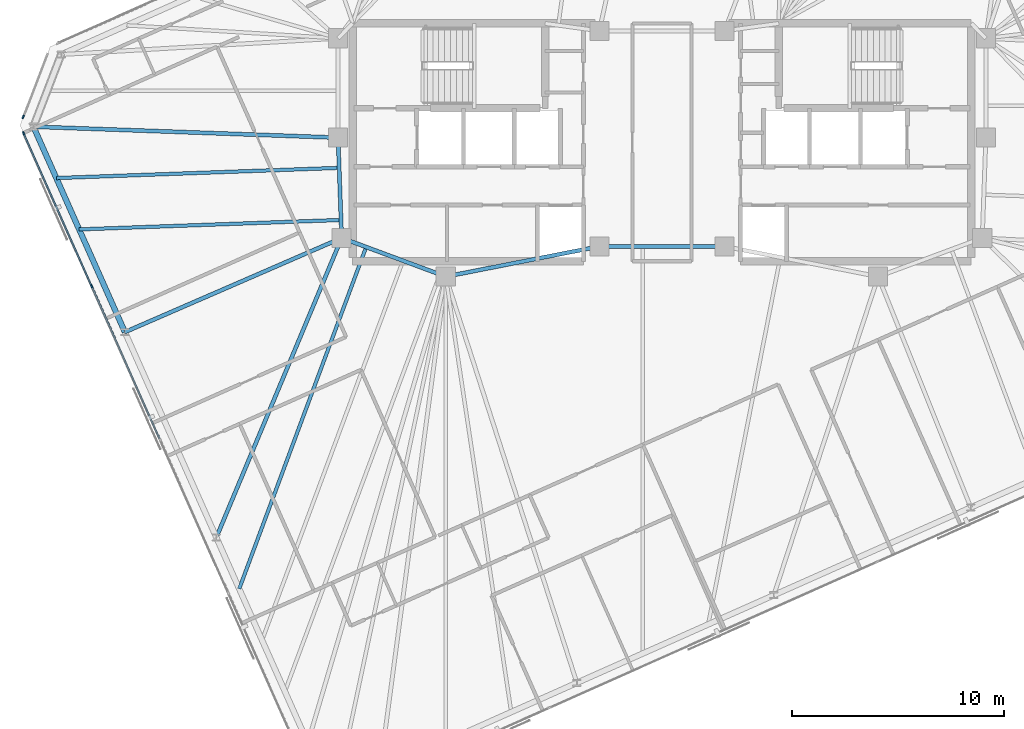
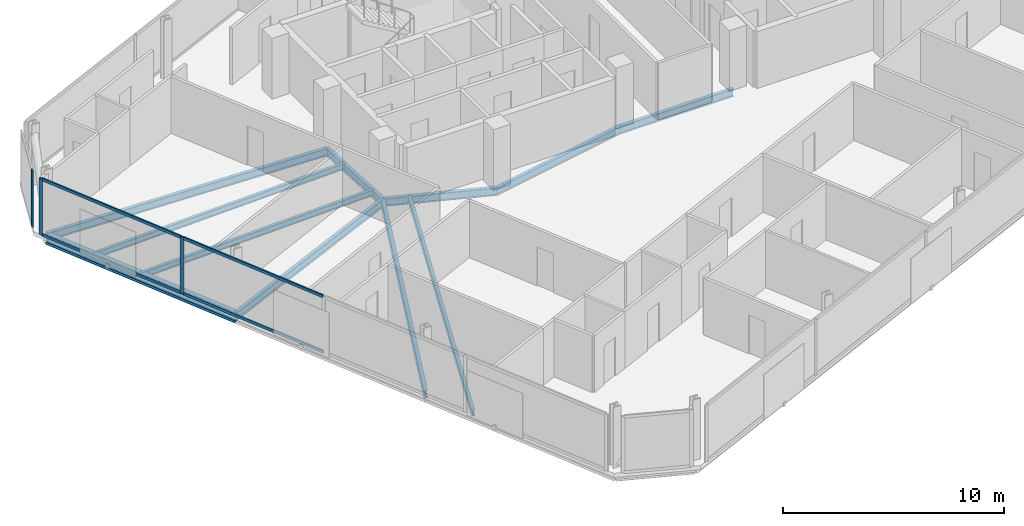
# One storey, part 6 of 18: 11 beams, 7 members, 2 elements without a shape of their own.
"""IFC4 building model written with IfcOpenShell, lengths in metres."""

from ifc_helpers import new_model, si_unit, direction, frame, origin, origin_2d, place, context, subcontext, project, spatial, rectangle, i_section, extrude, material, material_profile, profile_set, type_object, element, aggregate, save


model = new_model("IFC4")

# Units and contexts
model_context = context("Model", 3, precision=1e-05, world=origin(), true_north=direction((0.0, 1.0)))
body_context = subcontext(model_context, "Body", "Model", "MODEL_VIEW")
ifc_project = project(units=[si_unit("LENGTHUNIT", "METRE"), si_unit("AREAUNIT", "SQUARE_METRE"), si_unit("VOLUMEUNIT", "CUBIC_METRE"), si_unit("PLANEANGLEUNIT", "RADIAN"), si_unit("MASSUNIT", "GRAM", prefix="KILO")], contexts=[model_context])

# Site, building, storey
site_placement = place(None, origin())
site = spatial("IfcSite", under=ifc_project, at=site_placement, CompositionType="ELEMENT")
building_placement = place(site_placement, origin())
building = spatial("IfcBuilding", under=site, at=building_placement, Name="Menara Jurai Vektor", CompositionType="ELEMENT")
storey_placement = place(building_placement, frame((0.0, 0.0, 298.64990234375)))
storey = spatial("IfcBuildingStorey", under=building, at=storey_placement, Name="L80", CompositionType="ELEMENT", Elevation=298.64990234375)

# Curtain wall, member
ifc_material_1 = material(Name="Anodised Pale Aluminium & Low-E Double Glazing", Category="aluminium")
curtain_wall_type = type_object("IfcCurtainWallType", Name="CW-BLK5", PredefinedType="NOTDEFINED", material=ifc_material_1)
curtain_wall_1_placement = place(storey_placement, origin())
curtain_wall_1 = element("IfcCurtainWall", 1, at=curtain_wall_1_placement, inside=storey, type_object=curtain_wall_type, Name="Unitised Curtain Wall L80 F06", PredefinedType="NOTDEFINED")
ifc_material_2 = material(Name="Anodised Pale Aluminium Mullion", Category="aluminium")
ifc_material_profile_1 = material_profile(ifc_material_2, rectangle(XDim=0.074951171875, YDim=0.175048828125, at=origin_2d()), Name="ALU MUL 75x175")
ifc_profile_set_1 = profile_set([ifc_material_profile_1], Name="Anodised Pale Aluminium Mullion")
member_type_1 = type_object("IfcMemberType", Name="CW-BLK5-MUL", PredefinedType="MULLION", material=ifc_profile_set_1)
member_1_placement = place(storey_placement, frame((-30.075439453125, 1.197265625, 0.0), z_axis=(0.0, 0.0, 1.0), x_axis=(0.933578193639, -0.358373766287, 0.0)))
member_1 = element("IfcMember", 2, at=member_1_placement, type_object=member_type_1, Name="CW-05 mullion 2", PredefinedType="MULLION", context=body_context, shape_type="SweptSolid", body=[
    extrude(rectangle(XDim=0.074951171875, YDim=0.175048828125, at=origin_2d()), origin(), (0.0, 0.0, 1.0), 3.125),
])
aggregate(curtain_wall_1, [member_1])

# Curtain wall, members
curtain_wall_2_placement = place(storey_placement, origin())
curtain_wall_2 = element("IfcCurtainWall", 3, at=curtain_wall_2_placement, inside=storey, type_object=curtain_wall_type, Name="Unitised Curtain Wall L80 F07", PredefinedType="NOTDEFINED")
member_2_placement = place(storey_placement, frame((-30.055419921875, 0.426025390625, 0.0), z_axis=(0.0, 0.0, 1.0), x_axis=(0.913546127706, 0.406735138086, 0.0)))
member_2 = element("IfcMember", 4, at=member_2_placement, type_object=member_type_1, Name="CW-05 mullion 1", PredefinedType="MULLION", context=body_context, shape_type="SweptSolid", body=[
    extrude(rectangle(XDim=0.074951171875, YDim=0.175048828125, at=origin_2d()), origin(), (0.0, 0.0, 1.0), 3.125),
])
member_3_placement = place(storey_placement, frame((-26.853271484375, -6.765869140625, 0.0), z_axis=(0.0, 0.0, 1.0), x_axis=(0.913546127706, 0.406735138086, 0.0)))
member_3 = element("IfcMember", 5, at=member_3_placement, type_object=member_type_1, Name="CW-05 mullion 2", PredefinedType="MULLION", context=body_context, shape_type="SweptSolid", body=[
    extrude(rectangle(XDim=0.074951171875, YDim=0.175048828125, at=origin_2d()), origin(), (0.0, 0.0, 1.0), 3.125),
])
ifc_material_3 = material(Name="Anodised Pale Aluminium Transom", Category="aluminium")
ifc_material_profile_2 = material_profile(ifc_material_3, rectangle(XDim=0.074951171875, YDim=0.155029296875, at=origin_2d()), Name="ALU TRN 75x155")
ifc_profile_set_2 = profile_set([ifc_material_profile_2], Name="Anodised Pale Aluminium Transom")
member_type_2 = type_object("IfcMemberType", Name="CW-BLK5-TRN", PredefinedType="USERDEFINED", material=ifc_profile_set_2)
member_4_placement = place(storey_placement, frame((-30.0400390625, 0.391845703125, 0.03759765625), z_axis=(0.406713581109, -0.913555725143, 0.0), x_axis=(0.913555725143, 0.406713581109, 0.0)))
member_4 = element("IfcMember", 6, at=member_4_placement, type_object=member_type_2, Name="CW-05 transom 1.1", ObjectType="TRANSOM", PredefinedType="USERDEFINED", context=body_context, shape_type="SweptSolid", body=[
    extrude(rectangle(XDim=0.074951171875, YDim=0.155029296875, at=origin_2d()), origin(), (0.0, 0.0, 1.0), 7.797607421875),
])
member_5_placement = place(storey_placement, frame((-30.0400390625, 0.391845703125, 3.087646484375), z_axis=(0.406713581109, -0.913555725143, 0.0), x_axis=(0.913555725143, 0.406713581109, 0.0)))
member_5 = element("IfcMember", 7, at=member_5_placement, type_object=member_type_2, Name="CW-05 transom 1.2", ObjectType="TRANSOM", PredefinedType="USERDEFINED", context=body_context, shape_type="SweptSolid", body=[
    extrude(rectangle(XDim=0.074951171875, YDim=0.155029296875, at=origin_2d()), origin(), (0.0, 0.0, 1.0), 7.797607421875),
])
member_6_placement = place(storey_placement, frame((-26.838134765625, -6.800048828125, 0.03759765625), z_axis=(0.406731062496, -0.913547942256, 0.0), x_axis=(0.913547942256, 0.406731062496, 0.0)))
member_6 = element("IfcMember", 8, at=member_6_placement, type_object=member_type_2, Name="CW-05 transom 2.1", ObjectType="TRANSOM", PredefinedType="USERDEFINED", context=body_context, shape_type="SweptSolid", body=[
    extrude(rectangle(XDim=0.074951171875, YDim=0.155029296875, at=origin_2d()), origin(), (0.0, 0.0, 1.0), 7.8349609375),
])
member_7_placement = place(storey_placement, frame((-26.838134765625, -6.800048828125, 3.087646484375), z_axis=(0.406731062496, -0.913547942256, 0.0), x_axis=(0.913547942256, 0.406731062496, 0.0)))
member_7 = element("IfcMember", 9, at=member_7_placement, type_object=member_type_2, Name="CW-05 transom 2.2", ObjectType="TRANSOM", PredefinedType="USERDEFINED", context=body_context, shape_type="SweptSolid", body=[
    extrude(rectangle(XDim=0.074951171875, YDim=0.155029296875, at=origin_2d()), origin(), (0.0, 0.0, 1.0), 7.8349609375),
])
aggregate(curtain_wall_2, [member_2, member_3, member_4, member_5, member_6, member_7])

# Beams
ifc_material_4 = material(Name="Steel S355", Category="steel")
ifc_material_profile_3 = material_profile(ifc_material_4, i_section(OverallWidth=0.18505859375, OverallDepth=0.429931640625, WebThickness=0.010986328125, FlangeThickness=0.01806640625, at=origin_2d()), Name="PG 430x185x76")
ifc_profile_set_3 = profile_set([ifc_material_profile_3], Name="Steel S355")
beam_type_1 = type_object("IfcBeamType", Name="STR-BM-430", PredefinedType="BEAM", material=ifc_profile_set_3)
beam_1_placement = place(storey_placement, frame((-15.080078125, -4.5, -0.43994140625), z_axis=(-0.035977314146, 0.999352606874, 0.0), x_axis=(-0.999352606874, -0.035977314146, 0.0)))
element("IfcBeam", 10, at=beam_1_placement, inside=storey, type_object=beam_type_1, Name="Core Ring Header Girder L80-CHW-W2", PredefinedType="BEAM", context=body_context, shape_type="SweptSolid", body=[
    extrude(i_section(OverallWidth=0.18505859375, OverallDepth=0.429931640625, WebThickness=0.010986328125, FlangeThickness=0.01806640625, at=origin_2d()), origin(), (0.0, 0.0, 1.0), 4.72314453125),
])
beam_2_placement = place(storey_placement, frame((-15.080078125, -4.5, -0.43994140625), z_axis=(0.937424400887, -0.348188874925, 0.0), x_axis=(0.348188874925, 0.937424400887, 0.0)))
element("IfcBeam", 11, at=beam_2_placement, inside=storey, type_object=beam_type_1, Name="Core Ring Header Girder L80-CHW-S1", PredefinedType="BEAM", context=body_context, shape_type="SweptSolid", body=[
    extrude(i_section(OverallWidth=0.18505859375, OverallDepth=0.429931640625, WebThickness=0.010986328125, FlangeThickness=0.01806640625, at=origin_2d()), origin(), (0.0, 0.0, 1.0), 5.227294921875),
])
beam_3_placement = place(storey_placement, frame((-10.179931640625, -6.320068359375, -0.43994140625), z_axis=(0.981249044334, 0.192744164614, 0.0), x_axis=(-0.192744164614, 0.981249044334, 0.0)))
element("IfcBeam", 12, at=beam_3_placement, inside=storey, type_object=beam_type_1, Name="Core Ring Header Girder L80-CHW-S2", PredefinedType="BEAM", context=body_context, shape_type="SweptSolid", body=[
    extrude(i_section(OverallWidth=0.18505859375, OverallDepth=0.429931640625, WebThickness=0.010986328125, FlangeThickness=0.01806640625, at=origin_2d()), origin(), (0.0, 0.0, 1.0), 7.3681640625),
])
beam_4_placement = place(storey_placement, frame((-2.949951171875, -4.89990234375, -0.43994140625), z_axis=(1.0, 0.0, 0.0), x_axis=(0.0, 1.0, 0.0)))
element("IfcBeam", 13, at=beam_4_placement, inside=storey, type_object=beam_type_1, Name="Core Ring Header Girder L80-CC-1", PredefinedType="BEAM", context=body_context, shape_type="SweptSolid", body=[
    extrude(i_section(OverallWidth=0.18505859375, OverallDepth=0.429931640625, WebThickness=0.010986328125, FlangeThickness=0.01806640625, at=origin_2d()), origin(), (0.0, 0.0, 1.0), 5.89990234375),
])
beam_5_placement = place(storey_placement, frame((-29.591796875, 0.73681640625, -0.43994140625), z_axis=(0.999351273077, -0.03601434436, 0.0), x_axis=(0.03601434436, 0.999351273077, 0.0)))
element("IfcBeam", 14, at=beam_5_placement, inside=storey, type_object=beam_type_1, Name="Radial Floor Girder L80-W1", PredefinedType="BEAM", context=body_context, shape_type="SweptSolid", body=[
    extrude(i_section(OverallWidth=0.18505859375, OverallDepth=0.429931640625, WebThickness=0.010986328125, FlangeThickness=0.01806640625, at=origin_2d()), origin(), (0.0, 0.0, 1.0), 14.35107421875),
])
beam_6_placement = place(storey_placement, frame((-25.286376953125, -8.933349609375, -0.43994140625), z_axis=(0.917207084259, 0.398410798781, 0.0), x_axis=(-0.398410798781, 0.917207084259, 0.0)))
element("IfcBeam", 15, at=beam_6_placement, inside=storey, type_object=beam_type_1, Name="Radial Floor Girder L80-W2", PredefinedType="BEAM", context=body_context, shape_type="SweptSolid", body=[
    extrude(i_section(OverallWidth=0.18505859375, OverallDepth=0.429931640625, WebThickness=0.010986328125, FlangeThickness=0.01806640625, at=origin_2d()), origin(), (0.0, 0.0, 1.0), 11.127685546875),
])
beam_7_placement = place(storey_placement, frame((-20.98095703125, -18.603271484375, -0.43994140625), z_axis=(0.38598134247, 0.922506587112, 0.0), x_axis=(-0.922506587112, 0.38598134247, 0.0)))
element("IfcBeam", 16, at=beam_7_placement, inside=storey, type_object=beam_type_1, Name="Radial Floor Girder L80-W3", PredefinedType="BEAM", context=body_context, shape_type="SweptSolid", body=[
    extrude(i_section(OverallWidth=0.18505859375, OverallDepth=0.429931640625, WebThickness=0.010986328125, FlangeThickness=0.01806640625, at=origin_2d()), origin(), (0.0, 0.0, 1.0), 15.2880859375),
])
ifc_material_profile_4 = material_profile(ifc_material_4, i_section(OverallWidth=0.1650390625, OverallDepth=0.330078125, WebThickness=0.009033203125, FlangeThickness=0.013916015625, at=origin_2d()), Name="PG 330x165x46")
ifc_profile_set_4 = profile_set([ifc_material_profile_4], Name="Steel S355")
beam_type_2 = type_object("IfcBeamType", Name="STR-JS-330", PredefinedType="JOIST", material=ifc_profile_set_4)
beam_8_placement = place(storey_placement, frame((-28.515380859375, -1.6806640625, -0.389892578125), z_axis=(0.999352378837, 0.035983647851, 0.0), x_axis=(-0.035983647851, 0.999352378837, 0.0)))
element("IfcBeam", 17, at=beam_8_placement, inside=storey, type_object=beam_type_2, Name="Radial Secondary Floor Joist L80-JS26", PredefinedType="JOIST", context=body_context, shape_type="SweptSolid", body=[
    extrude(i_section(OverallWidth=0.1650390625, OverallDepth=0.330078125, WebThickness=0.009033203125, FlangeThickness=0.013916015625, at=origin_2d()), origin(), (0.0, 0.0, 1.0), 13.3251953125),
])
beam_9_placement = place(storey_placement, frame((-27.43896484375, -4.09814453125, -0.389892578125), z_axis=(0.999352552329, 0.03597882924, 0.0), x_axis=(-0.03597882924, 0.999352552329, 0.0)))
element("IfcBeam", 18, at=beam_9_placement, inside=storey, type_object=beam_type_2, Name="Radial Secondary Floor Joist L80-JS27", PredefinedType="JOIST", context=body_context, shape_type="SweptSolid", body=[
    extrude(i_section(OverallWidth=0.1650390625, OverallDepth=0.330078125, WebThickness=0.009033203125, FlangeThickness=0.013916015625, at=origin_2d()), origin(), (0.0, 0.0, 1.0), 12.33642578125),
])
beam_10_placement = place(storey_placement, frame((-19.904541015625, -21.020751953125, -0.389892578125), z_axis=(0.348190100331, 0.937423945732, 0.0), x_axis=(-0.937423945732, 0.348190100331, 0.0)))
element("IfcBeam", 19, at=beam_10_placement, inside=storey, type_object=beam_type_2, Name="Radial Secondary Floor Joist L80-JS28", PredefinedType="JOIST", context=body_context, shape_type="SweptSolid", body=[
    extrude(i_section(OverallWidth=0.1650390625, OverallDepth=0.330078125, WebThickness=0.009033203125, FlangeThickness=0.013916015625, at=origin_2d()), origin(), (0.0, 0.0, 1.0), 17.166748046875),
])
ifc_material_profile_5 = material_profile(ifc_material_4, i_section(OverallWidth=0.260009765625, OverallDepth=0.570068359375, WebThickness=0.013916015625, FlangeThickness=0.02392578125, at=origin_2d()), Name="PG 570x260x145")
ifc_profile_set_5 = profile_set([ifc_material_profile_5], Name="Steel S355")
beam_type_3 = type_object("IfcBeamType", Name="STR-SP-570", PredefinedType="SPANDREL", material=ifc_profile_set_5)
beam_11_placement = place(storey_placement, frame((-29.591796875, 0.73681640625, -0.510009765625), z_axis=(0.40673543049, -0.91354599752, 0.0), x_axis=(0.91354599752, 0.40673543049, 0.0)))
element("IfcBeam", 20, at=beam_11_placement, inside=storey, type_object=beam_type_3, Name="Exoskeleton Spandrel Beam L80-17", PredefinedType="SPANDREL", context=body_context, shape_type="SweptSolid", body=[
    extrude(i_section(OverallWidth=0.260009765625, OverallDepth=0.570068359375, WebThickness=0.013916015625, FlangeThickness=0.02392578125, at=origin_2d()), origin(), (0.0, 0.0, 1.0), 10.585205078125),
])

save(model, "model.ifc")
